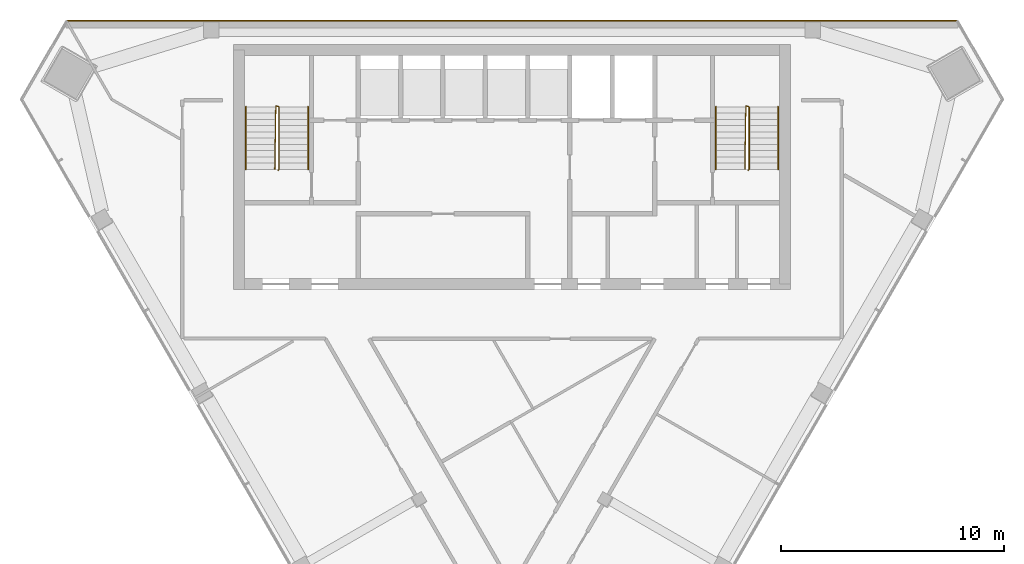
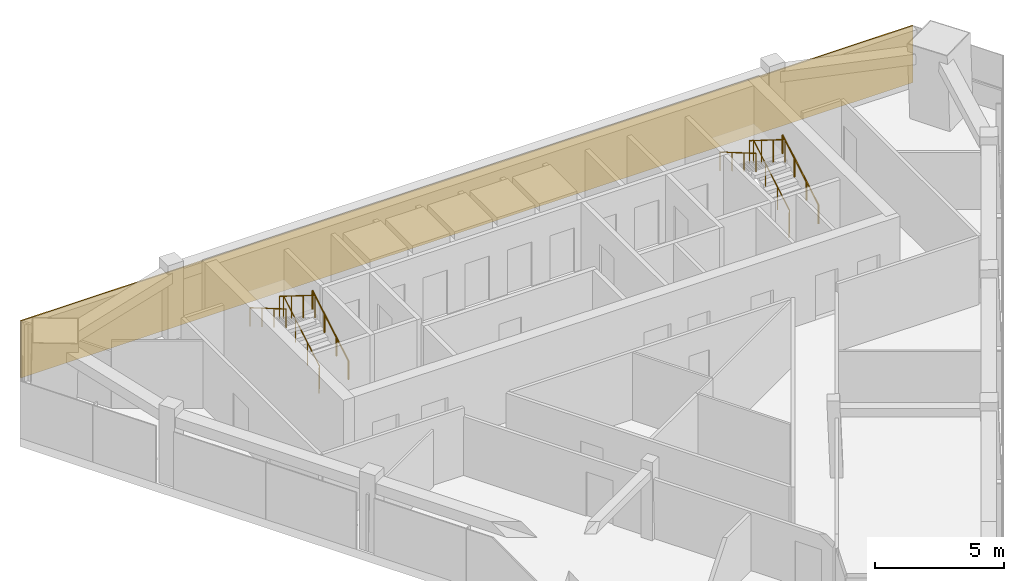
# One storey, part 8 of 9: 6 railings, 1 covering.
"""IFC4 building model written with IfcOpenShell, lengths in metres."""

from ifc_helpers import new_model, si_unit, direction, frame, frame_2d, origin, origin_2d, place, context, subcontext, project, spatial, rectangle, circle, extrude, material, layer, layer_set, type_object, element, save


model = new_model("IFC4")

# Units and contexts
model_context = context("Model", 3, precision=1e-05, world=origin(), true_north=direction((0.0, 1.0)))
body_context = subcontext(model_context, "Body", "Model", "MODEL_VIEW")
ifc_project = project(units=[si_unit("LENGTHUNIT", "METRE"), si_unit("AREAUNIT", "SQUARE_METRE"), si_unit("VOLUMEUNIT", "CUBIC_METRE"), si_unit("PLANEANGLEUNIT", "RADIAN"), si_unit("MASSUNIT", "GRAM", prefix="KILO")], contexts=[model_context])

# Site, building, storey
site_placement = place(None, origin())
site = spatial("IfcSite", under=ifc_project, at=site_placement, CompositionType="ELEMENT")
building_placement = place(site_placement, origin())
building = spatial("IfcBuilding", under=site, at=building_placement, Name="Altiplano Prism Tower", CompositionType="ELEMENT")
storey_placement = place(building_placement, frame((0.0, 0.0, 302.199951171875)))
storey = spatial("IfcBuildingStorey", under=building, at=storey_placement, Name="L78", CompositionType="ELEMENT", Elevation=302.199951171875)

# Railings
ifc_material_1 = material(Name="Steel S355", Category="steel")
railing_type_1 = type_object("IfcRailingType", Name="Stair guard 1100", PredefinedType="GUARDRAIL", material=ifc_material_1)
railing_1_placement = place(storey_placement, frame((74.5, 98.25, 0.0)))
element("IfcRailing", 1, at=railing_1_placement, inside=storey, type_object=railing_type_1, Name="L78 ST1 stair guard 1", PredefinedType="GUARDRAIL", context=body_context, shape_type="SweptSolid", body=[
    extrude(circle(Radius=0.02392578125, at=origin_2d()), frame((0.0, 0.0, 1.076171875), z_axis=(0.280808744504, 0.280808744504, 0.917765164963), x_axis=(-0.707106781187, 0.707106781187, 0.0)), (0.0, 0.0, 1.0), 0.17822265625),
    extrude(circle(Radius=0.02392578125, at=origin_2d()), frame((0.050048828125, 0.050048828125, 1.23974609375), z_axis=(0.0, 0.863360870873, 0.504586966384), x_axis=(-1.0, 0.0, 0.0)), (0.0, 0.0, 1.0), 3.2431640625),
    extrude(circle(Radius=0.02392578125, at=origin_2d()), frame((0.050048828125, 2.85009765625, 2.8759765625), z_axis=(-0.949145278916, 0.314838433982, 0.0), x_axis=(-0.314838433982, -0.949145278916, 0.0)), (0.0, 0.0, 1.0), 0.158203125),
    extrude(circle(Radius=0.02392578125, at=origin_2d()), frame((-0.10009765625, 2.89990234375, 2.8759765625), z_axis=(-0.01477401265, -0.845377694409, 0.533964682676), x_axis=(0.999847325713, -0.01747355902, 0.0)), (0.0, 0.0, 1.0), 3.37109375),
    extrude(circle(Radius=0.02099609375, at=origin_2d()), origin(), (0.0, 0.0, 1.0), 1.052001953125),
    extrude(circle(Radius=0.02099609375, at=origin_2d()), frame((0.050048828125, 0.050048828125, 0.16357421875)), (0.0, 0.0, 1.0), 1.052001953125),
    extrude(circle(Radius=0.02099609375, at=origin_2d()), frame((0.050048828125, 0.9833984375, 0.708984375)), (0.0, 0.0, 1.0), 1.052001953125),
    extrude(circle(Radius=0.02099609375, at=origin_2d()), frame((0.050048828125, 1.916748046875, 1.254638671875)), (0.0, 0.0, 1.0), 1.052001953125),
    extrude(circle(Radius=0.02099609375, at=origin_2d()), frame((0.050048828125, 2.85009765625, 1.800048828125)), (0.0, 0.0, 1.0), 1.052001953125),
    extrude(circle(Radius=0.02099609375, at=origin_2d()), frame((-0.10009765625, 2.89990234375, 1.800048828125)), (0.0, 0.0, 1.0), 1.052001953125),
    extrude(circle(Radius=0.02099609375, at=origin_2d()), frame((-0.11669921875, 1.949951171875, 2.400146484375)), (0.0, 0.0, 1.0), 1.052001953125),
    extrude(circle(Radius=0.02099609375, at=origin_2d()), frame((-0.13330078125, 1.0, 3.0)), (0.0, 0.0, 1.0), 1.052001953125),
    extrude(circle(Radius=0.02099609375, at=origin_2d()), frame((-0.14990234375, 0.050048828125, 3.60009765625)), (0.0, 0.0, 1.0), 1.052001953125),
])
railing_2_placement = place(storey_placement, frame((95.60009765625, 98.25, 0.0)))
element("IfcRailing", 2, at=railing_2_placement, inside=storey, type_object=railing_type_1, Name="L78 ST2 stair guard 1", PredefinedType="GUARDRAIL", context=body_context, shape_type="SweptSolid", body=[
    extrude(circle(Radius=0.02392578125, at=origin_2d()), frame((0.0, 0.0, 1.076171875), z_axis=(0.279546231943, 0.280916556609, 0.91811752648), x_axis=(-0.708833529934, 0.705375805398, 0.0)), (0.0, 0.0, 1.0), 0.17822265625),
    extrude(circle(Radius=0.02392578125, at=origin_2d()), frame((0.0498046875, 0.050048828125, 1.23974609375), z_axis=(0.0, 0.863360870873, 0.504586966384), x_axis=(-1.0, 0.0, 0.0)), (0.0, 0.0, 1.0), 3.2431640625),
    extrude(circle(Radius=0.02392578125, at=origin_2d()), frame((0.0498046875, 2.85009765625, 2.8759765625), z_axis=(-0.948991962702, 0.315300261223, 0.0), x_axis=(-0.315300261223, -0.948991962702, 0.0)), (0.0, 0.0, 1.0), 0.157958984375),
    extrude(circle(Radius=0.02392578125, at=origin_2d()), frame((-0.10009765625, 2.89990234375, 2.8759765625), z_axis=(-0.014846418356, -0.845376787675, 0.533964109957), x_axis=(0.999845825584, -0.017559187376, 0.0)), (0.0, 0.0, 1.0), 3.37109375),
    extrude(circle(Radius=0.02099609375, at=origin_2d()), origin(), (0.0, 0.0, 1.0), 1.052001953125),
    extrude(circle(Radius=0.02099609375, at=origin_2d()), frame((0.0498046875, 0.050048828125, 0.16357421875)), (0.0, 0.0, 1.0), 1.052001953125),
    extrude(circle(Radius=0.02099609375, at=origin_2d()), frame((0.0498046875, 0.9833984375, 0.708984375)), (0.0, 0.0, 1.0), 1.052001953125),
    extrude(circle(Radius=0.02099609375, at=origin_2d()), frame((0.0498046875, 1.916748046875, 1.254638671875)), (0.0, 0.0, 1.0), 1.052001953125),
    extrude(circle(Radius=0.02099609375, at=origin_2d()), frame((0.0498046875, 2.85009765625, 1.800048828125)), (0.0, 0.0, 1.0), 1.052001953125),
    extrude(circle(Radius=0.02099609375, at=origin_2d()), frame((-0.10009765625, 2.89990234375, 1.800048828125)), (0.0, 0.0, 1.0), 1.052001953125),
    extrude(circle(Radius=0.02099609375, at=origin_2d()), frame((-0.11669921875, 1.949951171875, 2.400146484375)), (0.0, 0.0, 1.0), 1.052001953125),
    extrude(circle(Radius=0.02099609375, at=origin_2d()), frame((-0.133544921875, 1.0, 3.0)), (0.0, 0.0, 1.0), 1.052001953125),
    extrude(circle(Radius=0.02099609375, at=origin_2d()), frame((-0.150146484375, 0.050048828125, 3.60009765625)), (0.0, 0.0, 1.0), 1.052001953125),
])
railing_type_2 = type_object("IfcRailingType", Name="Stair handrail 900", PredefinedType="HANDRAIL", material=ifc_material_1)
railing_3_placement = place(storey_placement, frame((75.85009765625, 98.300048828125, 0.16357421875)))
element("IfcRailing", 3, at=railing_3_placement, inside=storey, type_object=railing_type_2, Name="L78 ST1 stair handrail 1", PredefinedType="HANDRAIL", context=body_context, shape_type="SweptSolid", body=[
    extrude(circle(Radius=0.02392578125, at=origin_2d()), frame((0.0, 0.0, 0.8759765625), z_axis=(0.0, 0.863360870873, 0.504586966384), x_axis=(-1.0, 0.0, 0.0)), (0.0, 0.0, 1.0), 3.2431640625),
    extrude(circle(Radius=0.02099609375, at=origin_2d()), origin(), (0.0, 0.0, 1.0), 0.851806640625),
    extrude(circle(Radius=0.02099609375, at=origin_2d()), frame((0.0, 0.933349609375, 0.54541015625)), (0.0, 0.0, 1.0), 0.851806640625),
    extrude(circle(Radius=0.02099609375, at=origin_2d()), frame((0.0, 1.86669921875, 1.091064453125)), (0.0, 0.0, 1.0), 0.851806640625),
    extrude(circle(Radius=0.02099609375, at=origin_2d()), frame((0.0, 2.800048828125, 1.636474609375)), (0.0, 0.0, 1.0), 0.851806640625),
])
railing_4_placement = place(storey_placement, frame((73.050048828125, 101.10009765625, 1.963623046875)))
element("IfcRailing", 4, at=railing_4_placement, inside=storey, type_object=railing_type_2, Name="L78 ST1 stair handrail 2", PredefinedType="HANDRAIL", context=body_context, shape_type="SweptSolid", body=[
    extrude(circle(Radius=0.02392578125, at=origin_2d()), frame((0.0, 0.0, 0.8759765625), z_axis=(0.0, -0.863360870873, 0.504586966384), x_axis=(1.0, 0.0, 0.0)), (0.0, 0.0, 1.0), 3.2431640625),
    extrude(circle(Radius=0.02099609375, at=origin_2d()), origin(), (0.0, 0.0, 1.0), 0.851806640625),
    extrude(circle(Radius=0.02099609375, at=origin_2d()), frame((0.0, -0.933349609375, 0.54541015625)), (0.0, 0.0, 1.0), 0.851806640625),
    extrude(circle(Radius=0.02099609375, at=origin_2d()), frame((0.0, -1.86669921875, 1.091064453125)), (0.0, 0.0, 1.0), 0.851806640625),
    extrude(circle(Radius=0.02099609375, at=origin_2d()), frame((0.0, -2.800048828125, 1.636474609375)), (0.0, 0.0, 1.0), 0.851806640625),
])
railing_5_placement = place(storey_placement, frame((96.949951171875, 98.300048828125, 0.16357421875)))
element("IfcRailing", 5, at=railing_5_placement, inside=storey, type_object=railing_type_2, Name="L78 ST2 stair handrail 1", PredefinedType="HANDRAIL", context=body_context, shape_type="SweptSolid", body=[
    extrude(circle(Radius=0.02392578125, at=origin_2d()), frame((0.0, 0.0, 0.8759765625), z_axis=(0.0, 0.863360870873, 0.504586966384), x_axis=(-1.0, 0.0, 0.0)), (0.0, 0.0, 1.0), 3.2431640625),
    extrude(circle(Radius=0.02099609375, at=origin_2d()), origin(), (0.0, 0.0, 1.0), 0.851806640625),
    extrude(circle(Radius=0.02099609375, at=origin_2d()), frame((0.0, 0.933349609375, 0.54541015625)), (0.0, 0.0, 1.0), 0.851806640625),
    extrude(circle(Radius=0.02099609375, at=origin_2d()), frame((0.0, 1.86669921875, 1.091064453125)), (0.0, 0.0, 1.0), 0.851806640625),
    extrude(circle(Radius=0.02099609375, at=origin_2d()), frame((0.0, 2.800048828125, 1.636474609375)), (0.0, 0.0, 1.0), 0.851806640625),
])
railing_6_placement = place(storey_placement, frame((94.14990234375, 101.10009765625, 1.963623046875)))
element("IfcRailing", 6, at=railing_6_placement, inside=storey, type_object=railing_type_2, Name="L78 ST2 stair handrail 2", PredefinedType="HANDRAIL", context=body_context, shape_type="SweptSolid", body=[
    extrude(circle(Radius=0.02392578125, at=origin_2d()), frame((0.0, 0.0, 0.8759765625), z_axis=(0.0, -0.863360870873, 0.504586966384), x_axis=(1.0, 0.0, 0.0)), (0.0, 0.0, 1.0), 3.2431640625),
    extrude(circle(Radius=0.02099609375, at=origin_2d()), origin(), (0.0, 0.0, 1.0), 0.851806640625),
    extrude(circle(Radius=0.02099609375, at=origin_2d()), frame((0.0, -0.933349609375, 0.54541015625)), (0.0, 0.0, 1.0), 0.851806640625),
    extrude(circle(Radius=0.02099609375, at=origin_2d()), frame((0.0, -1.86669921875, 1.091064453125)), (0.0, 0.0, 1.0), 0.851806640625),
    extrude(circle(Radius=0.02099609375, at=origin_2d()), frame((0.0, -2.800048828125, 1.636474609375)), (0.0, 0.0, 1.0), 0.851806640625),
])

# Covering
ifc_material_2 = material(Name="Warm limestone cast stone", Category="masonry")
ifc_layer = layer(ifc_material_2, 0.06005859375)
ifc_layer_set = layer_set([ifc_layer], Name="Warm limestone cast stone")
covering_type = type_object("IfcCoveringType", Name="Stone cladding 60", PredefinedType="CLADDING", material=ifc_layer_set)
covering_placement = place(storey_placement, frame((64.972412109375, 104.969970703125, 0.0), z_axis=(0.0, 0.0, 1.0), x_axis=(1.0, 0.0, 0.0)))
element("IfcCovering", 7, at=covering_placement, inside=storey, type_object=covering_type, Name="Stone cladding north face L78", PredefinedType="CLADDING", context=body_context, shape_type="SweptSolid", body=[
    extrude(rectangle(XDim=40.05517578125, YDim=0.06005859375, at=frame_2d((20.027587890625, 0.0))), origin(), (0.0, 0.0, 1.0), 2.699951171875),
])

save(model, "model.ifc")
